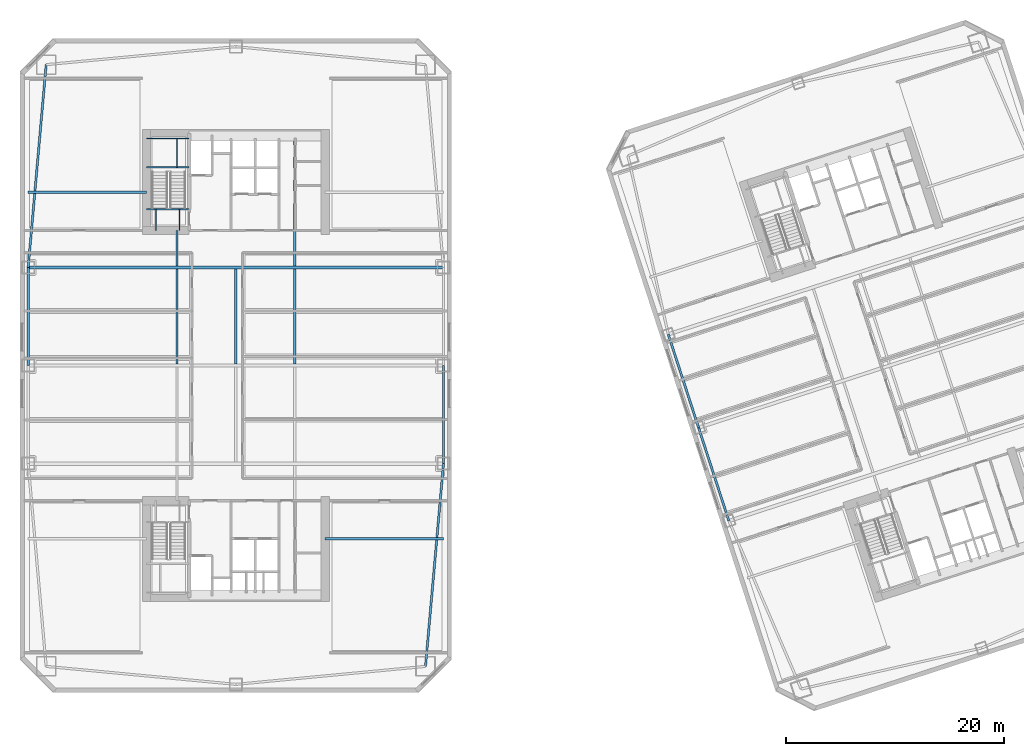
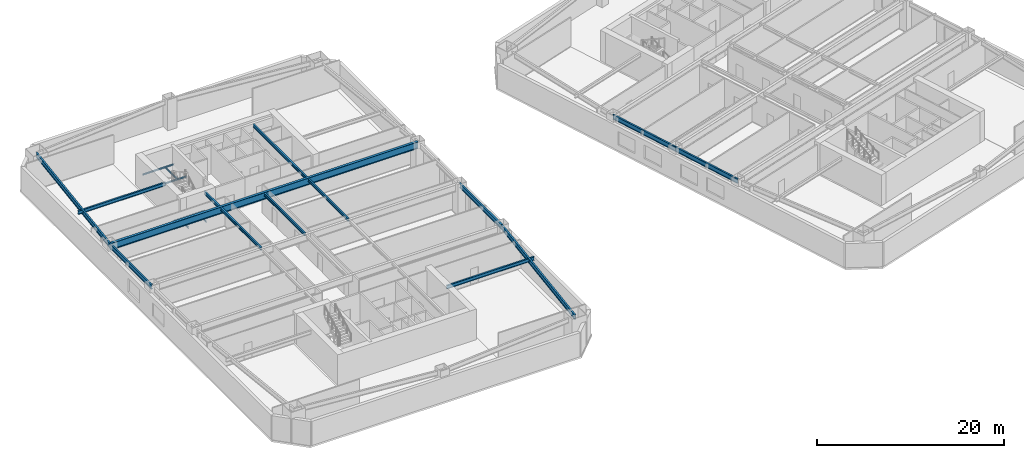
# One storey, part 3 of 24: 20 beams.
"""IFC4 building model written with IfcOpenShell, lengths in metres."""

from ifc_helpers import new_model, si_unit, direction, frame, origin, origin_2d, place, context, subcontext, project, spatial, i_section, extrude, material, material_profile, profile_set, type_object, element, save


model = new_model("IFC4")

# Units and contexts
model_context = context("Model", 3, precision=1e-05, world=origin(), true_north=direction((0.0, 1.0)))
body_context = subcontext(model_context, "Body", "Model", "MODEL_VIEW")
ifc_project = project(units=[si_unit("LENGTHUNIT", "METRE"), si_unit("AREAUNIT", "SQUARE_METRE"), si_unit("VOLUMEUNIT", "CUBIC_METRE"), si_unit("PLANEANGLEUNIT", "RADIAN"), si_unit("MASSUNIT", "GRAM", prefix="KILO")], contexts=[model_context])

# Site, building, storey
site_placement = place(None, origin())
site = spatial("IfcSite", under=ifc_project, at=site_placement, CompositionType="ELEMENT")
building_placement = place(site_placement, origin())
building = spatial("IfcBuilding", under=site, at=building_placement, Name="Qiaolan Cultural Towers", CompositionType="ELEMENT")
storey_placement = place(building_placement, frame((0.0, 0.0, 30.0)))
storey = spatial("IfcBuildingStorey", under=building, at=storey_placement, Name="L06", CompositionType="ELEMENT", Elevation=30.0)

# Beams
ifc_material_1 = material(Name="Steel Q355B", Category="steel")
ifc_material_profile_1 = material_profile(ifc_material_1, i_section(OverallWidth=0.300048828125, OverallDepth=0.89990234375, WebThickness=0.01611328125, FlangeThickness=0.028076171875, at=origin_2d()), Name="HN900x300x16x28")
ifc_profile_set_1 = profile_set([ifc_material_profile_1], Name="Steel Q355B")
beam_type_1 = type_object("IfcBeamType", Name="BM-HN900x300x16x28", PredefinedType="BEAM", material=ifc_profile_set_1)
beam_1_placement = place(storey_placement, frame((10.949951171875, 43.0, 3.2900390625), z_axis=(1.0, 0.0, 0.0), x_axis=(0.0, 1.0, 0.0)))
element("IfcBeam", 1, at=beam_1_placement, inside=storey, type_object=beam_type_1, Name="L06 T1 Primary Transverse Girder V3", PredefinedType="BEAM", context=body_context, shape_type="SweptSolid", body=[
    extrude(i_section(OverallWidth=0.300048828125, OverallDepth=0.89990234375, WebThickness=0.01611328125, FlangeThickness=0.028076171875, at=origin_2d()), origin(), (0.0, 0.0, 1.0), 38.10009765625),
])
ifc_material_2 = material(Name="Steel Q355B", Category="steel")
ifc_material_profile_2 = material_profile(ifc_material_2, i_section(OverallWidth=0.199951171875, OverallDepth=0.39990234375, WebThickness=0.008056640625, FlangeThickness=0.012939453125, at=origin_2d()), Name="HN400x200x8x13")
ifc_profile_set_2 = profile_set([ifc_material_profile_2], Name="Steel Q355B")
beam_type_2 = type_object("IfcBeamType", Name="BM-JST-HN400x200x8x13", PredefinedType="JOIST", material=ifc_profile_set_2)
beam_2_placement = place(storey_placement, frame((24.60009765625, 34.14990234375, 3.5400390625), z_axis=(0.0, 1.0, 0.0), x_axis=(-1.0, 0.0, 0.0)))
element("IfcBeam", 2, at=beam_2_placement, inside=storey, type_object=beam_type_2, Name="L06 T1 Secondary Floor Joist U1-3", PredefinedType="JOIST", context=body_context, shape_type="SweptSolid", body=[
    extrude(i_section(OverallWidth=0.199951171875, OverallDepth=0.39990234375, WebThickness=0.008056640625, FlangeThickness=0.012939453125, at=origin_2d()), origin(), (0.0, 0.0, 1.0), 8.7001953125),
])
beam_3_placement = place(storey_placement, frame((24.60009765625, 43.14990234375, 3.5400390625), z_axis=(0.0, 1.0, 0.0), x_axis=(-1.0, 0.0, 0.0)))
element("IfcBeam", 3, at=beam_3_placement, inside=storey, type_object=beam_type_2, Name="L06 T1 Secondary Floor Joist U1-4", PredefinedType="JOIST", context=body_context, shape_type="SweptSolid", body=[
    extrude(i_section(OverallWidth=0.199951171875, OverallDepth=0.39990234375, WebThickness=0.008056640625, FlangeThickness=0.012939453125, at=origin_2d()), origin(), (0.0, 0.0, 1.0), 3.25),
])
for number, where, z_axis, x_axis, name in (
    (4, (30.0, 34.14990234375, 3.5400390625), (0.0, 1.0, 0.0), (-1.0, 0.0, 0.0), "L06 T1 Secondary Floor Joist U2-3"),
    (5, (35.39990234375, 34.14990234375, 3.5400390625), (0.0, 1.0, 0.0), (-1.0, 0.0, 0.0), "L06 T1 Secondary Floor Joist U3-3"),
):
    element("IfcBeam", number, at=place(storey_placement, frame(where, z_axis=z_axis, x_axis=x_axis)), inside=storey, type_object=beam_type_2, Name=name, PredefinedType="JOIST", context=body_context, shape_type="SweptSolid", body=[
        extrude(i_section(OverallWidth=0.199951171875, OverallDepth=0.39990234375, WebThickness=0.008056640625, FlangeThickness=0.012939453125, at=origin_2d()), origin(), (0.0, 0.0, 1.0), 8.7001953125),
    ])
beam_4_placement = place(storey_placement, frame((35.39990234375, 43.14990234375, 3.5400390625), z_axis=(0.0, 1.0, 0.0), x_axis=(-1.0, 0.0, 0.0)))
element("IfcBeam", 6, at=beam_4_placement, inside=storey, type_object=beam_type_2, Name="L06 T1 Secondary Floor Joist U3-4", PredefinedType="JOIST", context=body_context, shape_type="SweptSolid", body=[
    extrude(i_section(OverallWidth=0.199951171875, OverallDepth=0.39990234375, WebThickness=0.008056640625, FlangeThickness=0.012939453125, at=origin_2d()), origin(), (0.0, 0.0, 1.0), 11.4501953125),
])
ifc_material_3 = material(Name="Steel Q355B", Category="steel")
ifc_material_profile_3 = material_profile(ifc_material_3, i_section(OverallWidth=0.199951171875, OverallDepth=0.449951171875, WebThickness=0.009033203125, FlangeThickness=0.013916015625, at=origin_2d()), Name="HN450x200x9x14")
ifc_profile_set_3 = profile_set([ifc_material_profile_3], Name="Steel Q355B")
beam_type_3 = type_object("IfcBeamType", Name="BM-LNT-HN450x200x9x14", PredefinedType="LINTEL", material=ifc_profile_set_3)
for number, where, z_axis, x_axis, name in (
    (7, (21.800048828125, 49.89990234375, 3.514892578125), (-1.0, 0.0, 0.0), (0.0, -1.0, 0.0), "L06 T1 Core Flank Tie Lintel WN"),
    (8, (38.199951171875, 18.10009765625, 3.514892578125), (1.0, 0.0, 0.0), (0.0, 1.0, 0.0), "L06 T1 Core Flank Tie Lintel ES"),
):
    element("IfcBeam", number, at=place(storey_placement, frame(where, z_axis=z_axis, x_axis=x_axis)), inside=storey, type_object=beam_type_3, Name=name, PredefinedType="LINTEL", context=body_context, shape_type="SweptSolid", body=[
        extrude(i_section(OverallWidth=0.199951171875, OverallDepth=0.449951171875, WebThickness=0.009033203125, FlangeThickness=0.013916015625, at=origin_2d()), origin(), (0.0, 0.0, 1.0), 10.85009765625),
    ])
ifc_material_4 = material(Name="Steel Q355B", Category="steel")
ifc_material_profile_4 = material_profile(ifc_material_4, i_section(OverallWidth=0.199951171875, OverallDepth=0.60009765625, WebThickness=0.010986328125, FlangeThickness=0.01708984375, at=origin_2d()), Name="HN600x200x11x17")
ifc_profile_set_4 = profile_set([ifc_material_profile_4], Name="Steel Q355B")
beam_type_4 = type_object("IfcBeamType", Name="BM-SPD-HN600x200x11x17", PredefinedType="SPANDREL", material=ifc_profile_set_4)
beam_5_placement = place(storey_placement, frame((47.39990234375, 6.39990234375, 3.43994140625), z_axis=(0.08837000091, 0.996087718496, 0.0), x_axis=(-0.996087718496, 0.08837000091, 0.0)))
element("IfcBeam", 9, at=beam_5_placement, inside=storey, type_object=beam_type_4, Name="L06 T1 Perimeter Spandrel Beam 3", PredefinedType="SPANDREL", context=body_context, shape_type="SweptSolid", body=[
    extrude(i_section(OverallWidth=0.199951171875, OverallDepth=0.60009765625, WebThickness=0.010986328125, FlangeThickness=0.01708984375, at=origin_2d()), origin(), (0.0, 0.0, 1.0), 18.673095703125),
])
beam_6_placement = place(storey_placement, frame((49.050048828125, 25.0, 3.43994140625), z_axis=(0.0, 1.0, 0.0), x_axis=(-1.0, 0.0, 0.0)))
element("IfcBeam", 10, at=beam_6_placement, inside=storey, type_object=beam_type_4, Name="L06 T1 Perimeter Spandrel Beam 4", PredefinedType="SPANDREL", context=body_context, shape_type="SweptSolid", body=[
    extrude(i_section(OverallWidth=0.199951171875, OverallDepth=0.60009765625, WebThickness=0.010986328125, FlangeThickness=0.01708984375, at=origin_2d()), origin(), (0.0, 0.0, 1.0), 9.0),
])
beam_7_placement = place(storey_placement, frame((12.60009765625, 61.60009765625, 3.43994140625), z_axis=(-0.08837000091, -0.996087718496, 0.0), x_axis=(0.996087718496, -0.08837000091, 0.0)))
element("IfcBeam", 11, at=beam_7_placement, inside=storey, type_object=beam_type_4, Name="L06 T1 Perimeter Spandrel Beam 9", PredefinedType="SPANDREL", context=body_context, shape_type="SweptSolid", body=[
    extrude(i_section(OverallWidth=0.199951171875, OverallDepth=0.60009765625, WebThickness=0.010986328125, FlangeThickness=0.01708984375, at=origin_2d()), origin(), (0.0, 0.0, 1.0), 18.673095703125),
])
for number, where, z_axis, x_axis, name in (
    (12, (10.949951171875, 43.0, 3.43994140625), (0.0, -1.0, 0.0), (1.0, 0.0, 0.0), "L06 T1 Perimeter Spandrel Beam 10"),
    (13, (69.671875, 36.858154296875, 3.43994140625), (0.309024734286, -0.951054001411, 0.0), (0.951054001411, 0.309024734286, 0.0), "L06 T2 Perimeter Spandrel Beam 10"),
    (14, (72.453125, 28.298583984375, 3.43994140625), (0.309000197986, -0.951061973609, 0.0), (0.951061973609, 0.309000197986, 0.0), "L06 T2 Perimeter Spandrel Beam 11"),
):
    element("IfcBeam", number, at=place(storey_placement, frame(where, z_axis=z_axis, x_axis=x_axis)), inside=storey, type_object=beam_type_4, Name=name, PredefinedType="SPANDREL", context=body_context, shape_type="SweptSolid", body=[
        extrude(i_section(OverallWidth=0.199951171875, OverallDepth=0.60009765625, WebThickness=0.010986328125, FlangeThickness=0.01708984375, at=origin_2d()), origin(), (0.0, 0.0, 1.0), 9.0),
    ])
ifc_material_5 = material(Name="Steel Q355B", Category="steel")
ifc_material_profile_5 = material_profile(ifc_material_5, i_section(OverallWidth=0.10009765625, OverallDepth=0.199951171875, WebThickness=0.005615234375, FlangeThickness=0.008056640625, at=origin_2d()), Name="HN200x100x5.5x8")
ifc_profile_set_5 = profile_set([ifc_material_profile_5], Name="Steel Q355B")
beam_type_5 = type_object("IfcBeamType", Name="BM-STTRIM-200", PredefinedType="BEAM", material=ifc_profile_set_5)
beam_8_placement = place(storey_placement, frame((21.800048828125, 48.340087890625, -0.4599609375), z_axis=(1.0, 0.0, 0.0), x_axis=(0.0, 1.0, 0.0)))
element("IfcBeam", 15, at=beam_8_placement, inside=storey, type_object=beam_type_5, Name="L06 ST-W2 Floor Landing Header Beam", PredefinedType="BEAM", context=body_context, shape_type="SweptSolid", body=[
    extrude(i_section(OverallWidth=0.10009765625, OverallDepth=0.199951171875, WebThickness=0.005615234375, FlangeThickness=0.008056640625, at=origin_2d()), origin(), (0.0, 0.0, 1.0), 3.919921875),
])
for number, where, z_axis, x_axis, name in (
    (16, (22.64990234375, 46.39990234375, -0.4599609375), (0.0, 1.0, 0.0), (-1.0, 0.0, 0.0), "L06 ST-W2 Floor Landing Stringer 1"),
    (17, (24.85009765625, 46.39990234375, -0.4599609375), (0.0, 1.0, 0.0), (-1.0, 0.0, 0.0), "L06 ST-W2 Floor Landing Stringer 2"),
):
    element("IfcBeam", number, at=place(storey_placement, frame(where, z_axis=z_axis, x_axis=x_axis)), inside=storey, type_object=beam_type_5, Name=name, PredefinedType="BEAM", context=body_context, shape_type="SweptSolid", body=[
        extrude(i_section(OverallWidth=0.10009765625, OverallDepth=0.199951171875, WebThickness=0.005615234375, FlangeThickness=0.008056640625, at=origin_2d()), origin(), (0.0, 0.0, 1.0), 1.940185546875),
    ])
for number, where, z_axis, x_axis, name in (
    (18, (21.800048828125, 52.188720703125, 1.699951171875), (1.0, 0.0, 0.0), (0.0, 1.0, 0.0), "L06 ST-W2 Stair Landing Support Beam 1-1"),
    (19, (21.800048828125, 54.820068359375, 1.699951171875), (1.0, 0.0, 0.0), (0.0, 1.0, 0.0), "L06 ST-W2 Stair Landing Support Beam 1-2"),
):
    element("IfcBeam", number, at=place(storey_placement, frame(where, z_axis=z_axis, x_axis=x_axis)), inside=storey, type_object=beam_type_5, Name=name, PredefinedType="BEAM", context=body_context, shape_type="SweptSolid", body=[
        extrude(i_section(OverallWidth=0.10009765625, OverallDepth=0.199951171875, WebThickness=0.005615234375, FlangeThickness=0.008056640625, at=origin_2d()), origin(), (0.0, 0.0, 1.0), 3.919921875),
    ])
beam_9_placement = place(storey_placement, frame((24.610107421875, 52.188720703125, 1.699951171875), z_axis=(0.0, 1.0, 0.0), x_axis=(-1.0, 0.0, 0.0)))
element("IfcBeam", 20, at=beam_9_placement, inside=storey, type_object=beam_type_5, Name="L06 ST-W2 Stair Landing Trimmer 1", PredefinedType="BEAM", context=body_context, shape_type="SweptSolid", body=[
    extrude(i_section(OverallWidth=0.10009765625, OverallDepth=0.199951171875, WebThickness=0.005615234375, FlangeThickness=0.008056640625, at=origin_2d()), origin(), (0.0, 0.0, 1.0), 2.63134765625),
])

save(model, "model.ifc")
